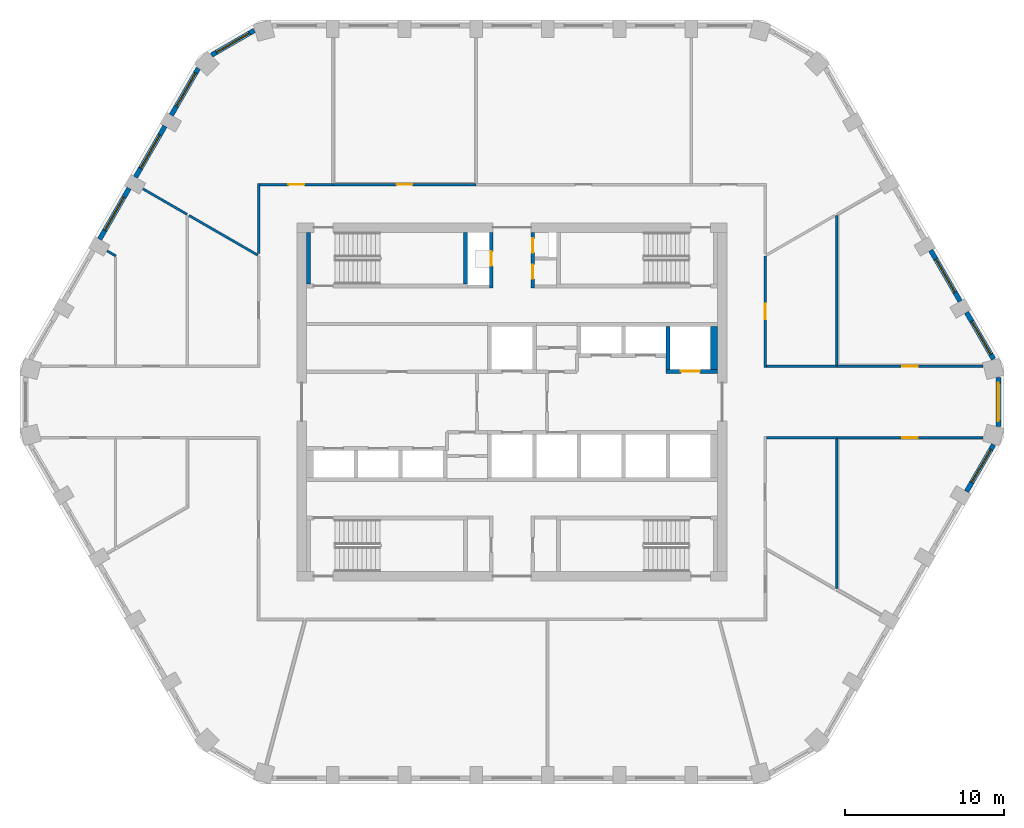
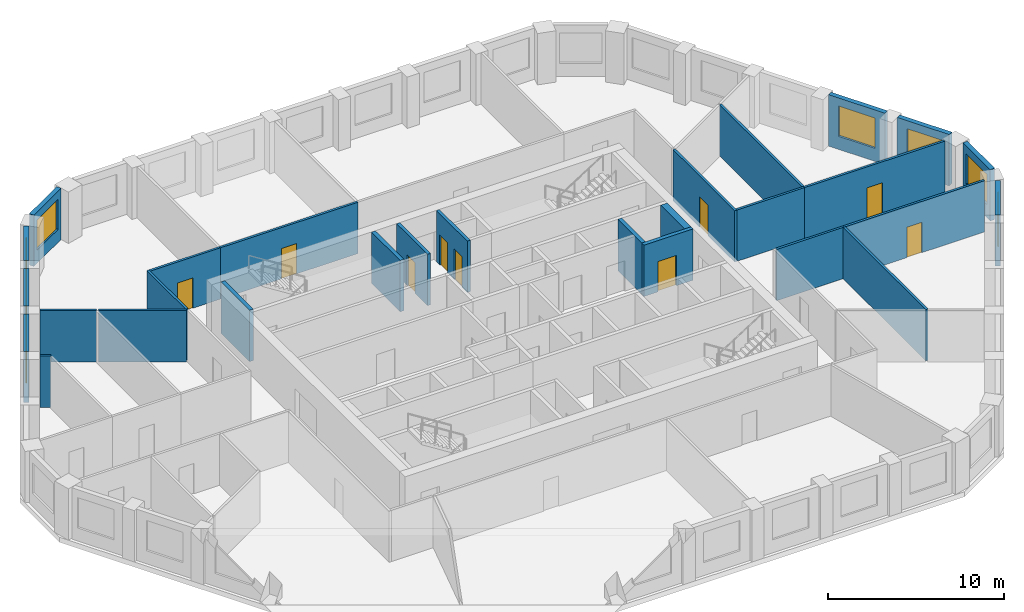
# One storey, part 5 of 11: 28 walls, 9 doors, 8 windows, 17 openings.
"""IFC4 building model written with IfcOpenShell, lengths in metres."""

from ifc_helpers import new_model, si_unit, direction, frame, frame_2d, origin, place, context, subcontext, project, spatial, polyline, rectangle, outline, extrude, material, layer, layer_set, type_object, element, fill, save


model = new_model("IFC4")

# Units and contexts
model_context = context("Model", 3, precision=1e-05, world=origin(), true_north=direction((0.0, 1.0)))
body_context = subcontext(model_context, "Body", "Model", "MODEL_VIEW")
ifc_project = project(units=[si_unit("LENGTHUNIT", "METRE"), si_unit("AREAUNIT", "SQUARE_METRE"), si_unit("VOLUMEUNIT", "CUBIC_METRE"), si_unit("PLANEANGLEUNIT", "RADIAN"), si_unit("MASSUNIT", "GRAM", prefix="KILO")], contexts=[model_context])

# Site, building, storey
site_placement = place(None, origin())
site = spatial("IfcSite", under=ifc_project, at=site_placement, CompositionType="ELEMENT")
building_placement = place(site_placement, origin())
building = spatial("IfcBuilding", under=site, at=building_placement, Name="Dhurran Vertical Campus", CompositionType="ELEMENT")
storey_placement = place(building_placement, frame((0.0, 0.0, 211.199951171875)))
storey = spatial("IfcBuildingStorey", under=building, at=storey_placement, Name="L52", CompositionType="ELEMENT", Elevation=211.199951171875)

# Wall, opening, window
ifc_material_1 = material(Name="Precast concrete C50/60", Category="concrete")
ifc_layer_1 = layer(ifc_material_1, 0.300048828125)
ifc_layer_set_1 = layer_set([ifc_layer_1], Name="Precast concrete C50/60")
wall_type_1 = type_object("IfcWallType", Name="Precast spandrel wall 300", PredefinedType="SOLIDWALL", material=ifc_layer_set_1)
wall_1_placement = place(storey_placement, frame((28.544189453125, -5.625244140625, 0.0), z_axis=(0.0, 0.0, 1.0), x_axis=(0.500012868213, 0.866017974191, 0.0)))
wall_1 = element("IfcWall", 1, at=wall_1_placement, inside=storey, type_object=wall_type_1, Name="EW1 L52.12", PredefinedType="SOLIDWALL", context=body_context, shape_type="SweptSolid", body=[
    extrude(rectangle(XDim=3.39599609375, YDim=0.300048828125, at=frame_2d((1.697998046875, 0.0))), origin(), (0.0, 0.0, 1.0), 3.550048828125),
])
opening_1_placement = place(wall_1_placement, frame((0.6494140625, 0.0, 0.89990234375)))
opening_1 = element("IfcOpeningElement", 2, at=opening_1_placement, cuts=wall_1, Name="Opening WT1", PredefinedType="OPENING", context=body_context, shape_type="SweptSolid", body=[
    extrude(rectangle(XDim=2.39990234375, YDim=2.10009765625, at=frame_2d((1.199951171875, 1.050048828125))), frame((0.0, 0.159912109375, 0.0), z_axis=(0.0, -1.0, 0.0), x_axis=(1.0, 0.0, 0.0)), (0.0, 0.0, 1.0), 0.320068359375),
])
ifc_material_2 = material(Name="Aluminium frame with solar-control glass", Category="aluminium")
window_type = type_object("IfcWindowType", Name="Punched window 2400 x 2100", PartitioningType="SINGLE_PANEL", PredefinedType="WINDOW", material=ifc_material_2)
window_1_placement = place(opening_1_placement, origin())
window_1 = element("IfcWindow", 3, at=window_1_placement, inside=storey, type_object=window_type, Name="WT1 L52.12", OverallHeight=2.10009765625, OverallWidth=2.39990234375, PartitioningType="SINGLE_PANEL", PredefinedType="WINDOW", context=body_context, shape_type="SweptSolid", body=[
    extrude(rectangle(XDim=2.39990234375, YDim=2.10009765625, at=frame_2d((1.199951171875, 1.050048828125))), frame((0.0, 0.030029296875, 0.0), z_axis=(0.0, -1.0, 0.0), x_axis=(1.0, 0.0, 0.0)), (0.0, 0.0, 1.0), 0.06005859375),
])
fill(opening_1, window_1)

wall_2_placement = place(storey_placement, frame((30.547119140625, -1.54638671875, 0.0), z_axis=(0.0, 0.0, 1.0), x_axis=(0.0, 1.0, 0.0)))
wall_2 = element("IfcWall", 4, at=wall_2_placement, inside=storey, type_object=wall_type_1, Name="EW1 L52.13", PredefinedType="SOLIDWALL", context=body_context, shape_type="SweptSolid", body=[
    extrude(rectangle(XDim=3.0927734375, YDim=0.300048828125, at=frame_2d((1.54638671875, 0.0))), origin(), (0.0, 0.0, 1.0), 3.550048828125),
])
opening_2_placement = place(wall_2_placement, frame((0.34619140625, 0.0, 0.89990234375)))
opening_2 = element("IfcOpeningElement", 5, at=opening_2_placement, cuts=wall_2, Name="Opening WT1", PredefinedType="OPENING", context=body_context, shape_type="SweptSolid", body=[
    extrude(rectangle(XDim=2.39990234375, YDim=2.10009765625, at=frame_2d((1.199951171875, 1.050048828125))), frame((0.0, 0.159912109375, 0.0), z_axis=(0.0, -1.0, 0.0), x_axis=(1.0, 0.0, 0.0)), (0.0, 0.0, 1.0), 0.320068359375),
])
window_2_placement = place(opening_2_placement, origin())
window_2 = element("IfcWindow", 6, at=window_2_placement, inside=storey, type_object=window_type, Name="WT1 L52.13", OverallHeight=2.10009765625, OverallWidth=2.39990234375, PartitioningType="SINGLE_PANEL", PredefinedType="WINDOW", context=body_context, shape_type="SweptSolid", body=[
    extrude(rectangle(XDim=2.39990234375, YDim=2.10009765625, at=frame_2d((1.199951171875, 1.050048828125))), frame((0.0, 0.030029296875, 0.0), z_axis=(0.0, -1.0, 0.0), x_axis=(1.0, 0.0, 0.0)), (0.0, 0.0, 1.0), 0.06005859375),
])
fill(opening_2, window_2)

wall_3_placement = place(storey_placement, frame((30.2421875, 2.684326171875, 0.0), z_axis=(0.0, 0.0, 1.0), x_axis=(-0.500012868213, 0.866017974191, 0.0)))
wall_3 = element("IfcWall", 7, at=wall_3_placement, inside=storey, type_object=wall_type_1, Name="EW1 L52.14", PredefinedType="SOLIDWALL", context=body_context, shape_type="SweptSolid", body=[
    extrude(rectangle(XDim=3.39599609375, YDim=0.300048828125, at=frame_2d((1.697998046875, 0.0))), origin(), (0.0, 0.0, 1.0), 3.550048828125),
])
opening_3_placement = place(wall_3_placement, frame((0.346435546875, 0.0, 0.89990234375)))
opening_3 = element("IfcOpeningElement", 8, at=opening_3_placement, cuts=wall_3, Name="Opening WT1", PredefinedType="OPENING", context=body_context, shape_type="SweptSolid", body=[
    extrude(rectangle(XDim=2.39990234375, YDim=2.10009765625, at=frame_2d((1.199951171875, 1.050048828125))), frame((0.0, 0.159912109375, 0.0), z_axis=(0.0, -1.0, 0.0), x_axis=(1.0, 0.0, 0.0)), (0.0, 0.0, 1.0), 0.320068359375),
])
window_3_placement = place(opening_3_placement, origin())
window_3 = element("IfcWindow", 9, at=window_3_placement, inside=storey, type_object=window_type, Name="WT1 L52.14", OverallHeight=2.10009765625, OverallWidth=2.39990234375, PartitioningType="SINGLE_PANEL", PredefinedType="WINDOW", context=body_context, shape_type="SweptSolid", body=[
    extrude(rectangle(XDim=2.39990234375, YDim=2.10009765625, at=frame_2d((1.199951171875, 1.050048828125))), frame((0.0, 0.030029296875, 0.0), z_axis=(0.0, -1.0, 0.0), x_axis=(1.0, 0.0, 0.0)), (0.0, 0.0, 1.0), 0.06005859375),
])
fill(opening_3, window_3)

wall_4_placement = place(storey_placement, frame((28.143798828125, 6.319091796875, 0.0), z_axis=(0.0, 0.0, 1.0), x_axis=(-0.500029062817, 0.866008623709, 0.0)))
wall_4 = element("IfcWall", 10, at=wall_4_placement, inside=storey, type_object=wall_type_1, Name="EW1 L52.15", PredefinedType="SOLIDWALL", context=body_context, shape_type="SweptSolid", body=[
    extrude(rectangle(XDim=3.698974609375, YDim=0.300048828125, at=frame_2d((1.849609375, 0.0))), origin(), (0.0, 0.0, 1.0), 3.550048828125),
])
opening_4_placement = place(wall_4_placement, frame((0.6494140625, 0.0, 0.89990234375)))
opening_4 = element("IfcOpeningElement", 11, at=opening_4_placement, cuts=wall_4, Name="Opening WT1", PredefinedType="OPENING", context=body_context, shape_type="SweptSolid", body=[
    extrude(rectangle(XDim=2.39990234375, YDim=2.10009765625, at=frame_2d((1.199951171875, 1.050048828125))), frame((0.0, 0.159912109375, 0.0), z_axis=(0.0, -1.0, 0.0), x_axis=(1.0, 0.0, 0.0)), (0.0, 0.0, 1.0), 0.320068359375),
])
window_4_placement = place(opening_4_placement, origin())
window_4 = element("IfcWindow", 12, at=window_4_placement, inside=storey, type_object=window_type, Name="WT1 L52.15", OverallHeight=2.10009765625, OverallWidth=2.39990234375, PartitioningType="SINGLE_PANEL", PredefinedType="WINDOW", context=body_context, shape_type="SweptSolid", body=[
    extrude(rectangle(XDim=2.39990234375, YDim=2.10009765625, at=frame_2d((1.199951171875, 1.050048828125))), frame((0.0, 0.030029296875, 0.0), z_axis=(0.0, -1.0, 0.0), x_axis=(1.0, 0.0, 0.0)), (0.0, 0.0, 1.0), 0.06005859375),
])
fill(opening_4, window_4)

wall_5_placement = place(storey_placement, frame((-16.184326171875, 23.330810546875, 0.0), z_axis=(0.0, 0.0, 1.0), x_axis=(-0.865994975416, -0.500052699777, 0.0)))
wall_5 = element("IfcWall", 13, at=wall_5_placement, inside=storey, type_object=wall_type_1, Name="EW1 L52.27", PredefinedType="SOLIDWALL", context=body_context, shape_type="SweptSolid", body=[
    extrude(rectangle(XDim=3.093017578125, YDim=0.300048828125, at=frame_2d((1.54638671875, 0.0))), origin(), (0.0, 0.0, 1.0), 3.550048828125),
])
opening_5_placement = place(wall_5_placement, frame((0.346435546875, 0.0, 0.89990234375)))
opening_5 = element("IfcOpeningElement", 14, at=opening_5_placement, cuts=wall_5, Name="Opening WT1", PredefinedType="OPENING", context=body_context, shape_type="SweptSolid", body=[
    extrude(rectangle(XDim=2.39990234375, YDim=2.10009765625, at=frame_2d((1.199951171875, 1.050048828125))), frame((0.0, 0.159912109375, 0.0), z_axis=(0.0, -1.0, 0.0), x_axis=(1.0, 0.0, 0.0)), (0.0, 0.0, 1.0), 0.320068359375),
])
window_5_placement = place(opening_5_placement, origin())
window_5 = element("IfcWindow", 15, at=window_5_placement, inside=storey, type_object=window_type, Name="WT1 L52.27", OverallHeight=2.10009765625, OverallWidth=2.39990234375, PartitioningType="SINGLE_PANEL", PredefinedType="WINDOW", context=body_context, shape_type="SweptSolid", body=[
    extrude(rectangle(XDim=2.39990234375, YDim=2.10009765625, at=frame_2d((1.199951171875, 1.050048828125))), frame((0.0, 0.030029296875, 0.0), z_axis=(0.0, -1.0, 0.0), x_axis=(1.0, 0.0, 0.0)), (0.0, 0.0, 1.0), 0.06005859375),
])
fill(opening_5, window_5)

wall_6_placement = place(storey_placement, frame((-19.69580078125, 20.951171875, 0.0), z_axis=(0.0, 0.0, 1.0), x_axis=(-0.500012868213, -0.866017974191, 0.0)))
wall_6 = element("IfcWall", 16, at=wall_6_placement, inside=storey, type_object=wall_type_1, Name="EW1 L52.28", PredefinedType="SOLIDWALL", context=body_context, shape_type="SweptSolid", body=[
    extrude(rectangle(XDim=3.39599609375, YDim=0.300048828125, at=frame_2d((1.697998046875, 0.0))), origin(), (0.0, 0.0, 1.0), 3.550048828125),
])
opening_6_placement = place(wall_6_placement, frame((0.346435546875, 0.0, 0.89990234375)))
opening_6 = element("IfcOpeningElement", 17, at=opening_6_placement, cuts=wall_6, Name="Opening WT1", PredefinedType="OPENING", context=body_context, shape_type="SweptSolid", body=[
    extrude(rectangle(XDim=2.39990234375, YDim=2.10009765625, at=frame_2d((1.199951171875, 1.050048828125))), frame((0.0, 0.159912109375, 0.0), z_axis=(0.0, -1.0, 0.0), x_axis=(1.0, 0.0, 0.0)), (0.0, 0.0, 1.0), 0.320068359375),
])
window_6_placement = place(opening_6_placement, origin())
window_6 = element("IfcWindow", 18, at=window_6_placement, inside=storey, type_object=window_type, Name="WT1 L52.28", OverallHeight=2.10009765625, OverallWidth=2.39990234375, PartitioningType="SINGLE_PANEL", PredefinedType="WINDOW", context=body_context, shape_type="SweptSolid", body=[
    extrude(rectangle(XDim=2.39990234375, YDim=2.10009765625, at=frame_2d((1.199951171875, 1.050048828125))), frame((0.0, 0.030029296875, 0.0), z_axis=(0.0, -1.0, 0.0), x_axis=(1.0, 0.0, 0.0)), (0.0, 0.0, 1.0), 0.06005859375),
])
fill(opening_6, window_6)

wall_7_placement = place(storey_placement, frame((-21.794189453125, 17.316650390625, 0.0), z_axis=(0.0, 0.0, 1.0), x_axis=(-0.500029062817, -0.866008623709, 0.0)))
wall_7 = element("IfcWall", 19, at=wall_7_placement, inside=storey, type_object=wall_type_1, Name="EW1 L52.29", PredefinedType="SOLIDWALL", context=body_context, shape_type="SweptSolid", body=[
    extrude(rectangle(XDim=3.698974609375, YDim=0.300048828125, at=frame_2d((1.849609375, 0.0))), origin(), (0.0, 0.0, 1.0), 3.550048828125),
])
opening_7_placement = place(wall_7_placement, frame((0.6494140625, 0.0, 0.89990234375)))
opening_7 = element("IfcOpeningElement", 20, at=opening_7_placement, cuts=wall_7, Name="Opening WT1", PredefinedType="OPENING", context=body_context, shape_type="SweptSolid", body=[
    extrude(rectangle(XDim=2.39990234375, YDim=2.10009765625, at=frame_2d((1.199951171875, 1.050048828125))), frame((0.0, 0.159912109375, 0.0), z_axis=(0.0, -1.0, 0.0), x_axis=(1.0, 0.0, 0.0)), (0.0, 0.0, 1.0), 0.320068359375),
])
window_7_placement = place(opening_7_placement, origin())
window_7 = element("IfcWindow", 21, at=window_7_placement, inside=storey, type_object=window_type, Name="WT1 L52.29", OverallHeight=2.10009765625, OverallWidth=2.39990234375, PartitioningType="SINGLE_PANEL", PredefinedType="WINDOW", context=body_context, shape_type="SweptSolid", body=[
    extrude(rectangle(XDim=2.39990234375, YDim=2.10009765625, at=frame_2d((1.199951171875, 1.050048828125))), frame((0.0, 0.030029296875, 0.0), z_axis=(0.0, -1.0, 0.0), x_axis=(1.0, 0.0, 0.0)), (0.0, 0.0, 1.0), 0.06005859375),
])
fill(opening_7, window_7)

wall_8_placement = place(storey_placement, frame((-24.044189453125, 13.41943359375, 0.0), z_axis=(0.0, 0.0, 1.0), x_axis=(-0.500029062817, -0.866008623709, 0.0)))
wall_8 = element("IfcWall", 22, at=wall_8_placement, inside=storey, type_object=wall_type_1, Name="EW1 L52.30", PredefinedType="SOLIDWALL", context=body_context, shape_type="SweptSolid", body=[
    extrude(rectangle(XDim=3.698974609375, YDim=0.300048828125, at=frame_2d((1.849609375, 0.0))), origin(), (0.0, 0.0, 1.0), 3.550048828125),
])
opening_8_placement = place(wall_8_placement, frame((0.6494140625, 0.0, 0.89990234375)))
opening_8 = element("IfcOpeningElement", 23, at=opening_8_placement, cuts=wall_8, Name="Opening WT1", PredefinedType="OPENING", context=body_context, shape_type="SweptSolid", body=[
    extrude(rectangle(XDim=2.39990234375, YDim=2.10009765625, at=frame_2d((1.199951171875, 1.050048828125))), frame((0.0, 0.159912109375, 0.0), z_axis=(0.0, -1.0, 0.0), x_axis=(1.0, 0.0, 0.0)), (0.0, 0.0, 1.0), 0.320068359375),
])
window_8_placement = place(opening_8_placement, origin())
window_8 = element("IfcWindow", 24, at=window_8_placement, inside=storey, type_object=window_type, Name="WT1 L52.30", OverallHeight=2.10009765625, OverallWidth=2.39990234375, PartitioningType="SINGLE_PANEL", PredefinedType="WINDOW", context=body_context, shape_type="SweptSolid", body=[
    extrude(rectangle(XDim=2.39990234375, YDim=2.10009765625, at=frame_2d((1.199951171875, 1.050048828125))), frame((0.0, 0.030029296875, 0.0), z_axis=(0.0, -1.0, 0.0), x_axis=(1.0, 0.0, 0.0)), (0.0, 0.0, 1.0), 0.06005859375),
])
fill(opening_8, window_8)

# Wall, opening, door
ifc_material_3 = material(Name="Fire-rated masonry blockwork", Category="masonry")
ifc_layer_2 = layer(ifc_material_3, 0.199951171875)
ifc_layer_set_2 = layer_set([ifc_layer_2], Name="Fire-rated masonry blockwork")
wall_type_2 = type_object("IfcWallType", Name="co-FIRE-PARTITION-200", PredefinedType="PARTITIONING", material=ifc_layer_set_2)
wall_9_placement = place(storey_placement, frame((-1.300048828125, 7.14990234375, 0.0), z_axis=(0.0, 0.0, 1.0), x_axis=(0.0, 1.0, 0.0)))
wall_9 = element("IfcWall", 25, at=wall_9_placement, inside=storey, type_object=wall_type_2, Name="Core partition vest-NW L52", PredefinedType="PARTITIONING", context=body_context, shape_type="SweptSolid", body=[
    extrude(rectangle(XDim=3.5, YDim=0.199951171875, at=frame_2d((1.75, 0.0))), origin(), (0.0, 0.0, 1.0), 3.550048828125),
])
opening_9_placement = place(wall_9_placement, frame((1.39990234375, 0.0, 0.0)))
opening_9 = element("IfcOpeningElement", 26, at=opening_9_placement, cuts=wall_9, Name="Opening T15-C3", PredefinedType="OPENING", context=body_context, shape_type="SweptSolid", body=[
    extrude(rectangle(XDim=0.89990234375, YDim=2.10009765625, at=frame_2d((0.449951171875, 1.050048828125))), frame((0.0, 0.10986328125, 0.0), z_axis=(0.0, -1.0, 0.0), x_axis=(1.0, 0.0, 0.0)), (0.0, 0.0, 1.0), 0.219970703125),
])
ifc_material_4 = material(Name="Fire-rated timber door set", Category="wood")
door_type_1 = type_object("IfcDoorType", Name="co-D-ROOM 900x2100", OperationType="SINGLE_SWING_LEFT", PredefinedType="DOOR", material=ifc_material_4)
door_1_placement = place(opening_9_placement, origin())
door_1 = element("IfcDoor", 27, at=door_1_placement, inside=storey, type_object=door_type_1, Name="Electrical riser door L52", OperationType="SINGLE_SWING_LEFT", OverallHeight=2.10009765625, OverallWidth=0.89990234375, PredefinedType="DOOR", context=body_context, shape_type="SweptSolid", body=[
    extrude(rectangle(XDim=0.89990234375, YDim=2.10009765625, at=frame_2d((0.449951171875, 1.050048828125))), frame((0.0, 0.02490234375, 0.0), z_axis=(0.0, -1.0, 0.0), x_axis=(1.0, 0.0, 0.0)), (0.0, 0.0, 1.0), 0.050048828125),
])
fill(opening_9, door_1)

# Wall, openings, doors
wall_10_placement = place(storey_placement, frame((1.300048828125, 7.14990234375, 0.0), z_axis=(0.0, 0.0, 1.0), x_axis=(0.0, 1.0, 0.0)))
wall_10 = element("IfcWall", 28, at=wall_10_placement, inside=storey, type_object=wall_type_2, Name="Core partition vest-NE L52", PredefinedType="PARTITIONING", context=body_context, shape_type="SweptSolid", body=[
    extrude(rectangle(XDim=3.5, YDim=0.199951171875, at=frame_2d((1.75, 0.0))), origin(), (0.0, 0.0, 1.0), 3.550048828125),
])
opening_10_placement = place(wall_10_placement, frame((0.574951171875, 0.0, 0.0)))
opening_10 = element("IfcOpeningElement", 29, at=opening_10_placement, cuts=wall_10, Name="Opening T15-C4", PredefinedType="OPENING", context=body_context, shape_type="SweptSolid", body=[
    extrude(rectangle(XDim=0.89990234375, YDim=2.10009765625, at=frame_2d((0.449951171875, 1.050048828125))), frame((0.0, 0.10986328125, 0.0), z_axis=(0.0, -1.0, 0.0), x_axis=(1.0, 0.0, 0.0)), (0.0, 0.0, 1.0), 0.219970703125),
])
opening_11_placement = place(wall_10_placement, frame((2.22509765625, 0.0, 0.0)))
opening_11 = element("IfcOpeningElement", 30, at=opening_11_placement, cuts=wall_10, Name="Opening T15-C5", PredefinedType="OPENING", context=body_context, shape_type="SweptSolid", body=[
    extrude(rectangle(XDim=0.89990234375, YDim=2.10009765625, at=frame_2d((0.449951171875, 1.050048828125))), frame((0.0, 0.10986328125, 0.0), z_axis=(0.0, -1.0, 0.0), x_axis=(1.0, 0.0, 0.0)), (0.0, 0.0, 1.0), 0.219970703125),
])
door_2_placement = place(opening_10_placement, origin())
door_2 = element("IfcDoor", 31, at=door_2_placement, inside=storey, type_object=door_type_1, Name="Pantry door L52", OperationType="SINGLE_SWING_LEFT", OverallHeight=2.10009765625, OverallWidth=0.89990234375, PredefinedType="DOOR", context=body_context, shape_type="SweptSolid", body=[
    extrude(rectangle(XDim=0.89990234375, YDim=2.10009765625, at=frame_2d((0.449951171875, 1.050048828125))), frame((0.0, 0.02490234375, 0.0), z_axis=(0.0, -1.0, 0.0), x_axis=(1.0, 0.0, 0.0)), (0.0, 0.0, 1.0), 0.050048828125),
])
fill(opening_10, door_2)
door_3_placement = place(opening_11_placement, origin())
door_3 = element("IfcDoor", 32, at=door_3_placement, inside=storey, type_object=door_type_1, Name="Water riser door L52", OperationType="SINGLE_SWING_LEFT", OverallHeight=2.10009765625, OverallWidth=0.89990234375, PredefinedType="DOOR", context=body_context, shape_type="SweptSolid", body=[
    extrude(rectangle(XDim=0.89990234375, YDim=2.10009765625, at=frame_2d((0.449951171875, 1.050048828125))), frame((0.0, 0.02490234375, 0.0), z_axis=(0.0, -1.0, 0.0), x_axis=(1.0, 0.0, 0.0)), (0.0, 0.0, 1.0), 0.050048828125),
])
fill(opening_11, door_3)

# Wall, opening, door
ifc_material_5 = material(Name="Concrete C50/60", Category="concrete")
ifc_layer_3 = layer(ifc_material_5, 0.25)
ifc_layer_set_3 = layer_set([ifc_layer_3], Name="Concrete C50/60")
wall_type_3 = type_object("IfcWallType", Name="co-SHAFT-FRONT-250", PredefinedType="SHEAR", material=ifc_layer_set_3)
wall_11_placement = place(storey_placement, frame((9.675048828125, 1.925048828125, 0.0), z_axis=(0.0, 0.0, 1.0), x_axis=(1.0, 0.0, 0.0)))
wall_11 = element("IfcWall", 33, at=wall_11_placement, inside=storey, type_object=wall_type_3, Name="Lift landing wall N L52", PredefinedType="SHEAR", context=body_context, shape_type="SweptSolid", body=[
    extrude(rectangle(XDim=3.224853515625, YDim=0.25, at=frame_2d((1.6123046875, 0.0))), origin(), (0.0, 0.0, 1.0), 3.550048828125),
])
opening_12_placement = place(wall_11_placement, frame((0.925048828125, 0.0, 0.0)))
opening_12 = element("IfcOpeningElement", 34, at=opening_12_placement, cuts=wall_11, Name="Opening LD", PredefinedType="OPENING", context=body_context, shape_type="SweptSolid", body=[
    extrude(rectangle(XDim=1.199951171875, YDim=2.10009765625, at=frame_2d((0.60009765625, 1.050048828125))), frame((0.0, 0.135009765625, 0.0), z_axis=(0.0, -1.0, 0.0), x_axis=(1.0, 0.0, 0.0)), (0.0, 0.0, 1.0), 0.27001953125),
])
ifc_material_6 = material(Name="Stainless steel landing door", Category="steel")
door_type_2 = type_object("IfcDoorType", Name="co-D-LANDING 1200x2100", OperationType="DOUBLE_DOOR_SLIDING", PredefinedType="DOOR", material=ifc_material_6)
door_4_placement = place(opening_12_placement, origin())
door_4 = element("IfcDoor", 35, at=door_4_placement, inside=storey, type_object=door_type_2, Name="Landing door SV2 L52", OperationType="DOUBLE_DOOR_SLIDING", OverallHeight=2.10009765625, OverallWidth=1.199951171875, PredefinedType="DOOR", context=body_context, shape_type="SweptSolid", body=[
    extrude(rectangle(XDim=1.199951171875, YDim=2.10009765625, at=frame_2d((0.60009765625, 1.050048828125))), frame((0.0, 0.02490234375, 0.0), z_axis=(0.0, -1.0, 0.0), x_axis=(1.0, 0.0, 0.0)), (0.0, 0.0, 1.0), 0.050048828125),
])
fill(opening_12, door_4)

# Walls
ifc_material_7 = material(Name="Concrete C50/60", Category="concrete")
ifc_layer_4 = layer(ifc_material_7, 0.25)
ifc_layer_set_4 = layer_set([ifc_layer_4], Name="Concrete C50/60")
wall_type_4 = type_object("IfcWallType", Name="co-SHAFT-MASS-250", PredefinedType="SHEAR", material=ifc_layer_set_4)
wall_12_placement = place(storey_placement, origin())
element("IfcWall", 36, at=wall_12_placement, inside=storey, type_object=wall_type_4, Name="Lift shaft wall N L52 5", PredefinedType="SHEAR", context=body_context, shape_type="SweptSolid", body=[
    extrude(outline(polyline([(9.675048828125, 2.050048828125), (9.925048828125, 2.050048828125), (9.925048828125, 4.75), (9.675048828125, 4.75), (9.675048828125, 2.050048828125)])), origin(), (0.0, 0.0, 1.0), 3.550048828125),
])
wall_13_placement = place(storey_placement, origin())
element("IfcWall", 37, at=wall_13_placement, inside=storey, type_object=wall_type_4, Name="Lift shaft wall N L52 6", PredefinedType="SHEAR", context=body_context, shape_type="SweptSolid", body=[
    extrude(outline(polyline([(12.47509765625, 2.050048828125), (12.89990234375, 2.050048828125), (12.89990234375, 4.75), (12.47509765625, 4.75), (12.47509765625, 2.050048828125)])), origin(), (0.0, 0.0, 1.0), 3.550048828125),
])
ifc_material_8 = material(Name="Concrete C40/50", Category="concrete")
ifc_layer_5 = layer(ifc_material_8, 0.25)
ifc_layer_set_5 = layer_set([ifc_layer_5], Name="Concrete C40/50")
wall_type_5 = type_object("IfcWallType", Name="co-STAIR-WALL-250", PredefinedType="SHEAR", material=ifc_layer_set_5)
for number, where, z_axis, x_axis, name in (
    (38, (-12.77490234375, 7.39990234375, 0.0), (0.0, 0.0, 1.0), (0.0, 1.0, 0.0), "Stair ST1 enclosure wall L52"),
    (39, (-2.925048828125, 7.39990234375, 0.0), (0.0, 0.0, 1.0), (0.0, 1.0, 0.0), "Stair ST1 enclosure wall L52"),
):
    element("IfcWall", number, at=place(storey_placement, frame(where, z_axis=z_axis, x_axis=x_axis)), inside=storey, type_object=wall_type_5, Name=name, PredefinedType="SHEAR", context=body_context, shape_type="SweptSolid", body=[
        extrude(rectangle(XDim=3.25, YDim=0.25, at=frame_2d((1.625, 0.0))), origin(), (0.0, 0.0, 1.0), 3.550048828125),
    ])
ifc_material_9 = material(Name="Gypsum board corridor wall on steel studs", Category="steel")
ifc_layer_6 = layer(ifc_material_9, 0.14990234375)
ifc_layer_set_6 = layer_set([ifc_layer_6], Name="Gypsum board corridor wall on steel studs")
wall_type_6 = type_object("IfcWallType", Name="fl-CW-150 corridor wall", PredefinedType="PARTITIONING", material=ifc_layer_set_6)
wall_14_placement = place(storey_placement, frame((-15.89990234375, 13.72509765625, 0.0), z_axis=(0.0, 0.0, 1.0), x_axis=(0.0, -1.0, 0.0)))
element("IfcWall", 40, at=wall_14_placement, inside=storey, type_object=wall_type_6, Name="Partition 52-19", PredefinedType="PARTITIONING", context=body_context, shape_type="SweptSolid", body=[
    extrude(rectangle(XDim=4.4150390625, YDim=0.14990234375, at=frame_2d((2.20751953125, 0.0))), origin(), (0.0, 0.0, 1.0), 3.550048828125),
])

# Wall, opening, door
wall_15_placement = place(storey_placement, frame((-11.25, 13.64990234375, 0.0), z_axis=(0.0, 0.0, 1.0), x_axis=(-1.0, 0.0, 0.0)))
wall_15 = element("IfcWall", 41, at=wall_15_placement, inside=storey, type_object=wall_type_6, Name="Partition 52-20", PredefinedType="PARTITIONING", context=body_context, shape_type="SweptSolid", body=[
    extrude(rectangle(XDim=4.574951171875, YDim=0.14990234375, at=frame_2d((2.28759765625, 0.0))), origin(), (0.0, 0.0, 1.0), 3.550048828125),
])
opening_13_placement = place(wall_15_placement, frame((1.78759765625, 0.0, 0.0)))
opening_13 = element("IfcOpeningElement", 42, at=opening_13_placement, cuts=wall_15, Name="Opening T15.07", PredefinedType="OPENING", context=body_context, shape_type="SweptSolid", body=[
    extrude(rectangle(XDim=1.0, YDim=2.10009765625, at=frame_2d((0.5, 1.050048828125))), frame((0.0, 0.0849609375, 0.0), z_axis=(0.0, -1.0, 0.0), x_axis=(1.0, 0.0, 0.0)), (0.0, 0.0, 1.0), 0.169921875),
])
ifc_material_10 = material(Name="Solid-core timber door set, fire-rated", Category="wood")
door_type_3 = type_object("IfcDoorType", Name="fl-D-1000x2100", OperationType="SINGLE_SWING_LEFT", PredefinedType="DOOR", material=ifc_material_10)
door_5_placement = place(opening_13_placement, origin())
door_5 = element("IfcDoor", 43, at=door_5_placement, inside=storey, type_object=door_type_3, Name="Door 52.07", OperationType="SINGLE_SWING_LEFT", OverallHeight=2.10009765625, OverallWidth=1.0, PredefinedType="DOOR", context=body_context, shape_type="SweptSolid", body=[
    extrude(rectangle(XDim=1.0, YDim=2.10009765625, at=frame_2d((0.5, 1.050048828125))), frame((0.0, 0.02490234375, 0.0), z_axis=(0.0, -1.0, 0.0), x_axis=(1.0, 0.0, 0.0)), (0.0, 0.0, 1.0), 0.050048828125),
])
fill(opening_13, door_5)

wall_16_placement = place(storey_placement, frame((-2.25, 13.64990234375, 0.0), z_axis=(0.0, 0.0, 1.0), x_axis=(-1.0, 0.0, 0.0)))
wall_16 = element("IfcWall", 44, at=wall_16_placement, inside=storey, type_object=wall_type_6, Name="Partition 52-24", PredefinedType="PARTITIONING", context=body_context, shape_type="SweptSolid", body=[
    extrude(rectangle(XDim=9.0, YDim=0.14990234375, at=frame_2d((4.5, 0.0))), origin(), (0.0, 0.0, 1.0), 3.550048828125),
])
opening_14_placement = place(wall_16_placement, frame((4.0, 0.0, 0.0)))
opening_14 = element("IfcOpeningElement", 45, at=opening_14_placement, cuts=wall_16, Name="Opening T15.08", PredefinedType="OPENING", context=body_context, shape_type="SweptSolid", body=[
    extrude(rectangle(XDim=1.0, YDim=2.10009765625, at=frame_2d((0.5, 1.050048828125))), frame((0.0, 0.0849609375, 0.0), z_axis=(0.0, -1.0, 0.0), x_axis=(1.0, 0.0, 0.0)), (0.0, 0.0, 1.0), 0.169921875),
])
door_6_placement = place(opening_14_placement, origin())
door_6 = element("IfcDoor", 46, at=door_6_placement, inside=storey, type_object=door_type_3, Name="Door 52.08", OperationType="SINGLE_SWING_RIGHT", OverallHeight=2.10009765625, OverallWidth=1.0, PredefinedType="DOOR", context=body_context, shape_type="SweptSolid", body=[
    extrude(rectangle(XDim=1.0, YDim=2.10009765625, at=frame_2d((0.5, 1.050048828125))), frame((0.0, 0.02490234375, 0.0), z_axis=(0.0, -1.0, 0.0), x_axis=(1.0, 0.0, 0.0)), (0.0, 0.0, 1.0), 0.050048828125),
])
fill(opening_14, door_6)

# Wall
wall_17_placement = place(storey_placement, frame((20.39990234375, -2.25, 0.0), z_axis=(0.0, 0.0, 1.0), x_axis=(-1.0, 0.0, 0.0)))
element("IfcWall", 47, at=wall_17_placement, inside=storey, type_object=wall_type_6, Name="Partition 52-36", PredefinedType="PARTITIONING", context=body_context, shape_type="SweptSolid", body=[
    extrude(rectangle(XDim=4.4248046875, YDim=0.14990234375, at=frame_2d((2.21240234375, 0.0))), origin(), (0.0, 0.0, 1.0), 3.550048828125),
])

# Wall, opening, door
wall_18_placement = place(storey_placement, frame((15.89990234375, 2.175048828125, 0.0), z_axis=(0.0, 0.0, 1.0), x_axis=(0.0, 1.0, 0.0)))
wall_18 = element("IfcWall", 48, at=wall_18_placement, inside=storey, type_object=wall_type_6, Name="Partition 52-37", PredefinedType="PARTITIONING", context=body_context, shape_type="SweptSolid", body=[
    extrude(rectangle(XDim=7.0048828125, YDim=0.14990234375, at=frame_2d((3.50244140625, 0.0))), origin(), (0.0, 0.0, 1.0), 3.550048828125),
])
opening_15_placement = place(wall_18_placement, frame((3.00244140625, 0.0, 0.0)))
opening_15 = element("IfcOpeningElement", 49, at=opening_15_placement, cuts=wall_18, Name="Opening T15.15", PredefinedType="OPENING", context=body_context, shape_type="SweptSolid", body=[
    extrude(rectangle(XDim=1.0, YDim=2.10009765625, at=frame_2d((0.5, 1.050048828125))), frame((0.0, 0.0849609375, 0.0), z_axis=(0.0, -1.0, 0.0), x_axis=(1.0, 0.0, 0.0)), (0.0, 0.0, 1.0), 0.169921875),
])
door_7_placement = place(opening_15_placement, origin())
door_7 = element("IfcDoor", 50, at=door_7_placement, inside=storey, type_object=door_type_3, Name="Door 52.15", OperationType="SINGLE_SWING_LEFT", OverallHeight=2.10009765625, OverallWidth=1.0, PredefinedType="DOOR", context=body_context, shape_type="SweptSolid", body=[
    extrude(rectangle(XDim=1.0, YDim=2.10009765625, at=frame_2d((0.5, 1.050048828125))), frame((0.0, 0.02490234375, 0.0), z_axis=(0.0, -1.0, 0.0), x_axis=(1.0, 0.0, 0.0)), (0.0, 0.0, 1.0), 0.050048828125),
])
fill(opening_15, door_7)

# Wall
wall_19_placement = place(storey_placement, frame((15.97509765625, 2.25, 0.0), z_axis=(0.0, 0.0, 1.0), x_axis=(1.0, 0.0, 0.0)))
element("IfcWall", 51, at=wall_19_placement, inside=storey, type_object=wall_type_6, Name="Partition 52-38", PredefinedType="PARTITIONING", context=body_context, shape_type="SweptSolid", body=[
    extrude(rectangle(XDim=4.4248046875, YDim=0.14990234375, at=frame_2d((2.21240234375, 0.0))), origin(), (0.0, 0.0, 1.0), 3.550048828125),
])

# Wall, opening, door
wall_20_placement = place(storey_placement, frame((29.5849609375, -2.25, 0.0), z_axis=(0.0, 0.0, 1.0), x_axis=(-1.0, 0.0, 0.0)))
wall_20 = element("IfcWall", 52, at=wall_20_placement, inside=storey, type_object=wall_type_6, Name="Partition 52-43", PredefinedType="PARTITIONING", context=body_context, shape_type="SweptSolid", body=[
    extrude(rectangle(XDim=9.18505859375, YDim=0.14990234375, at=frame_2d((4.592529296875, 0.0))), origin(), (0.0, 0.0, 1.0), 3.550048828125),
])
opening_16_placement = place(wall_20_placement, frame((4.092529296875, 0.0, 0.0)))
opening_16 = element("IfcOpeningElement", 53, at=opening_16_placement, cuts=wall_20, Name="Opening T15.16", PredefinedType="OPENING", context=body_context, shape_type="SweptSolid", body=[
    extrude(rectangle(XDim=1.0, YDim=2.10009765625, at=frame_2d((0.5, 1.050048828125))), frame((0.0, 0.0849609375, 0.0), z_axis=(0.0, -1.0, 0.0), x_axis=(1.0, 0.0, 0.0)), (0.0, 0.0, 1.0), 0.169921875),
])
door_8_placement = place(opening_16_placement, origin())
door_8 = element("IfcDoor", 54, at=door_8_placement, inside=storey, type_object=door_type_3, Name="Door 52.16", OperationType="SINGLE_SWING_RIGHT", OverallHeight=2.10009765625, OverallWidth=1.0, PredefinedType="DOOR", context=body_context, shape_type="SweptSolid", body=[
    extrude(rectangle(XDim=1.0, YDim=2.10009765625, at=frame_2d((0.5, 1.050048828125))), frame((0.0, 0.02490234375, 0.0), z_axis=(0.0, -1.0, 0.0), x_axis=(1.0, 0.0, 0.0)), (0.0, 0.0, 1.0), 0.050048828125),
])
fill(opening_16, door_8)

wall_21_placement = place(storey_placement, frame((20.39990234375, 2.25, 0.0), z_axis=(0.0, 0.0, 1.0), x_axis=(1.0, 0.0, 0.0)))
wall_21 = element("IfcWall", 55, at=wall_21_placement, inside=storey, type_object=wall_type_6, Name="Partition 52-45", PredefinedType="PARTITIONING", context=body_context, shape_type="SweptSolid", body=[
    extrude(rectangle(XDim=9.18505859375, YDim=0.14990234375, at=frame_2d((4.592529296875, 0.0))), origin(), (0.0, 0.0, 1.0), 3.550048828125),
])
opening_17_placement = place(wall_21_placement, frame((4.092529296875, 0.0, 0.0)))
opening_17 = element("IfcOpeningElement", 56, at=opening_17_placement, cuts=wall_21, Name="Opening T15.17", PredefinedType="OPENING", context=body_context, shape_type="SweptSolid", body=[
    extrude(rectangle(XDim=1.0, YDim=2.10009765625, at=frame_2d((0.5, 1.050048828125))), frame((0.0, 0.0849609375, 0.0), z_axis=(0.0, -1.0, 0.0), x_axis=(1.0, 0.0, 0.0)), (0.0, 0.0, 1.0), 0.169921875),
])
door_9_placement = place(opening_17_placement, origin())
door_9 = element("IfcDoor", 57, at=door_9_placement, inside=storey, type_object=door_type_3, Name="Door 52.17", OperationType="SINGLE_SWING_LEFT", OverallHeight=2.10009765625, OverallWidth=1.0, PredefinedType="DOOR", context=body_context, shape_type="SweptSolid", body=[
    extrude(rectangle(XDim=1.0, YDim=2.10009765625, at=frame_2d((0.5, 1.050048828125))), frame((0.0, 0.02490234375, 0.0), z_axis=(0.0, -1.0, 0.0), x_axis=(1.0, 0.0, 0.0)), (0.0, 0.0, 1.0), 0.050048828125),
])
fill(opening_17, door_9)

# Walls
ifc_material_11 = material(Name="Gypsum board partition on steel studs", Category="steel")
ifc_layer_7 = layer(ifc_material_11, 0.14990234375)
ifc_layer_set_7 = layer_set([ifc_layer_7], Name="Gypsum board partition on steel studs")
wall_type_7 = type_object("IfcWallType", Name="fl-PW-150 fixed partition", PredefinedType="PARTITIONING", material=ifc_layer_set_7)
wall_22_placement = place(storey_placement, frame((-25.427001953125, 9.484375, 0.0), z_axis=(0.0, 0.0, 1.0), x_axis=(0.86590958411, -0.500200551925, 0.0)))
element("IfcWall", 58, at=wall_22_placement, inside=storey, type_object=wall_type_7, Name="Partition 52-04", PredefinedType="PARTITIONING", context=body_context, shape_type="SweptSolid", body=[
    extrude(rectangle(XDim=0.633544921875, YDim=0.14990234375, at=frame_2d((0.31689453125, 0.0))), origin(), (0.0, 0.0, 1.0), 3.550048828125),
])
wall_23_placement = place(storey_placement, frame((-23.17724609375, 13.381103515625, 0.0), z_axis=(0.0, 0.0, 1.0), x_axis=(0.866089241828, -0.499889412961, 0.0)))
element("IfcWall", 59, at=wall_23_placement, inside=storey, type_object=wall_type_7, Name="Partition 52-10", PredefinedType="PARTITIONING", context=body_context, shape_type="SweptSolid", body=[
    extrude(rectangle(XDim=3.206787109375, YDim=0.14990234375, at=frame_2d((1.603515625, 0.0))), origin(), (0.0, 0.0, 1.0), 3.550048828125),
])
wall_24_placement = place(storey_placement, frame((-20.287353515625, 11.712890625, 0.0), z_axis=(0.0, 0.0, 1.0), x_axis=(0.866034070548, -0.499984988425, 0.0)))
element("IfcWall", 60, at=wall_24_placement, inside=storey, type_object=wall_type_7, Name="Partition 52-15", PredefinedType="PARTITIONING", context=body_context, shape_type="SweptSolid", body=[
    extrude(rectangle(XDim=4.990966796875, YDim=0.14990234375, at=frame_2d((2.49560546875, 0.0))), origin(), (0.0, 0.0, 1.0), 3.550048828125),
])
for number, where, z_axis, x_axis, name in (
    (61, (20.39990234375, -2.324951171875, 0.0), (0.0, 0.0, 1.0), (0.0, -1.0, 0.0), "Partition 52-41"),
    (62, (20.39990234375, 11.702880859375, 0.0), (0.0, 0.0, 1.0), (0.0, -1.0, 0.0), "Partition 52-44"),
):
    element("IfcWall", number, at=place(storey_placement, frame(where, z_axis=z_axis, x_axis=x_axis)), inside=storey, type_object=wall_type_7, Name=name, PredefinedType="PARTITIONING", context=body_context, shape_type="SweptSolid", body=[
        extrude(rectangle(XDim=9.3779296875, YDim=0.14990234375, at=frame_2d((4.68896484375, 0.0))), origin(), (0.0, 0.0, 1.0), 3.550048828125),
    ])

save(model, "model.ifc")
